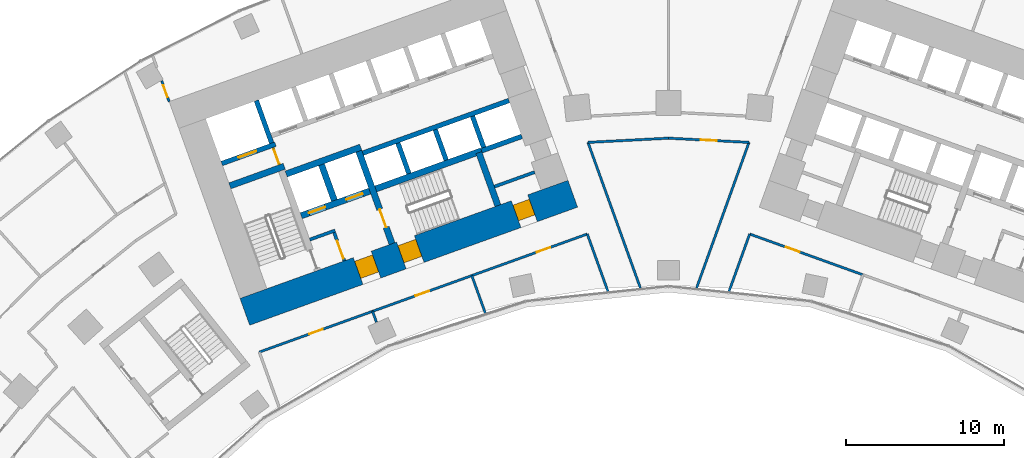
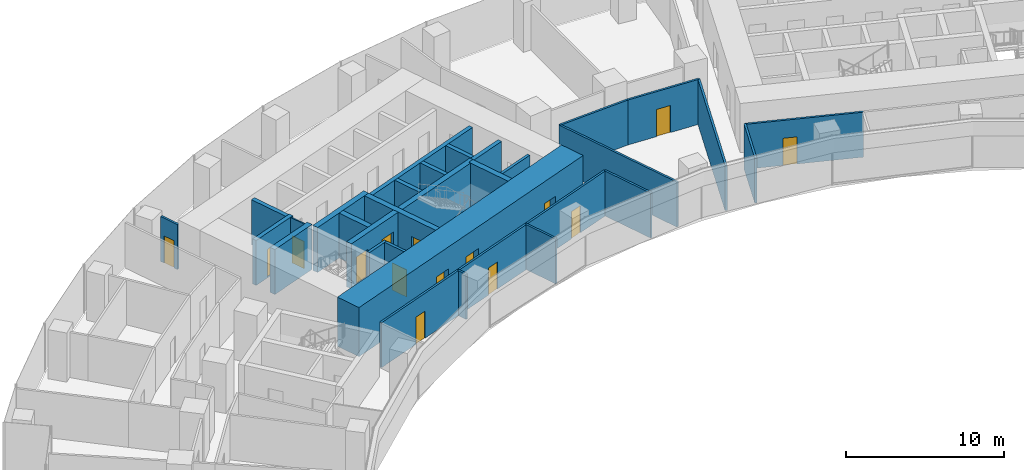
# One storey, part 15 of 21: 31 walls, 15 doors, 15 openings.
"""IFC4 building model written with IfcOpenShell, lengths in metres."""

from ifc_helpers import new_model, si_unit, direction, frame, frame_2d, origin, place, context, subcontext, project, spatial, rectangle, extrude, material, layer, layer_set, type_object, element, fill, save


model = new_model("IFC4")

# Units and contexts
model_context = context("Model", 3, precision=1e-05, world=origin(), true_north=direction((0.0, 1.0)))
body_context = subcontext(model_context, "Body", "Model", "MODEL_VIEW")
ifc_project = project(units=[si_unit("LENGTHUNIT", "METRE"), si_unit("AREAUNIT", "SQUARE_METRE"), si_unit("VOLUMEUNIT", "CUBIC_METRE"), si_unit("PLANEANGLEUNIT", "RADIAN"), si_unit("MASSUNIT", "GRAM", prefix="KILO")], contexts=[model_context])

# Site, building, storey
site_placement = place(None, origin())
site = spatial("IfcSite", under=ifc_project, at=site_placement, CompositionType="ELEMENT")
building_placement = place(site_placement, origin())
building = spatial("IfcBuilding", under=site, at=building_placement, Name="Stone Belt Terrace Tower", CompositionType="ELEMENT")
storey_placement = place(building_placement, frame((0.0, 0.0, 45.199951171875)))
storey = spatial("IfcBuildingStorey", under=building, at=storey_placement, Name="L10", CompositionType="ELEMENT", Elevation=45.199951171875)

# Wall, opening, door
ifc_material_1 = material(Name="Plasterboard partition")
ifc_layer_1 = layer(ifc_material_1, 0.10009765625)
ifc_layer_set_1 = layer_set([ifc_layer_1], Name="Core partition 100")
wall_type_1 = type_object("IfcWallType", Name="Core partition 100", PredefinedType="PARTITIONING", material=ifc_layer_set_1)
wall_1_placement = place(storey_placement, frame((-24.555908203125, 51.10400390625, 0.0), z_axis=(0.0, 0.0, 1.0), x_axis=(-0.338621735342, 0.94092258999, 0.0)))
wall_1 = element("IfcWall", 1, at=wall_1_placement, inside=storey, type_object=wall_type_1, Name="Core A wall", PredefinedType="PARTITIONING", context=body_context, shape_type="SweptSolid", body=[
    extrude(rectangle(XDim=1.14990234375, YDim=0.10009765625, at=frame_2d((0.574951171875, 0.0))), origin(), (0.0, 0.0, 1.0), 3.47998046875),
])
opening_1_placement = place(wall_1_placement, frame((0.050048828125, 0.0, 0.0)))
opening_1 = element("IfcOpeningElement", 2, at=opening_1_placement, cuts=wall_1, Name="Opening L10-C01", PredefinedType="OPENING", context=body_context, shape_type="SweptSolid", body=[
    extrude(rectangle(XDim=1.0, YDim=2.10009765625, at=frame_2d((0.5, 1.050048828125))), frame((0.0, 0.06005859375, 0.0), z_axis=(0.0, -1.0, 0.0), x_axis=(1.0, 0.0, 0.0)), (0.0, 0.0, 1.0), 0.1201171875),
])
ifc_material_2 = material(Name="Timber door leaf", Category="wood")
door_type_1 = type_object("IfcDoorType", Name="Core room door 1000", OperationType="SINGLE_SWING_LEFT", PredefinedType="DOOR", material=ifc_material_2)
door_1_placement = place(opening_1_placement, origin())
door_1 = element("IfcDoor", 3, at=door_1_placement, inside=storey, type_object=door_type_1, Name="Service lift lobby door core A", OperationType="SINGLE_SWING_RIGHT", OverallHeight=2.10009765625, OverallWidth=1.0, PredefinedType="DOOR", context=body_context, shape_type="SweptSolid", body=[
    extrude(rectangle(XDim=1.0, YDim=2.10009765625, at=frame_2d((0.5, 1.050048828125))), frame((0.0, 0.02490234375, 0.0), z_axis=(0.0, -1.0, 0.0), x_axis=(1.0, 0.0, 0.0)), (0.0, 0.0, 1.0), 0.050048828125),
])
fill(opening_1, door_1)

# Wall, openings, doors
ifc_material_3 = material(Name="Concrete B80", Category="concrete")
ifc_layer_2 = layer(ifc_material_3, 1.800048828125)
ifc_layer_set_2 = layer_set([ifc_layer_2], Name="Core wall 1800 B80")
wall_type_2 = type_object("IfcWallType", Name="Core wall 1800 B80", PredefinedType="SHEAR", material=ifc_layer_set_2)
wall_2_placement = place(storey_placement, frame((-26.739501953125, 41.815673828125, 0.0), z_axis=(0.0, 0.0, 1.0), x_axis=(0.940921642213, 0.338624368902, 0.0)))
wall_2 = element("IfcWall", 4, at=wall_2_placement, inside=storey, type_object=wall_type_2, Name="Core A wall concave L10", PredefinedType="SHEAR", context=body_context, shape_type="SweptSolid", body=[
    extrude(rectangle(XDim=22.0, YDim=1.800048828125, at=frame_2d((11.0, 0.0))), origin(), (0.0, 0.0, 1.0), 3.800048828125),
])
opening_2_placement = place(wall_2_placement, frame((7.60009765625, 0.0, 0.0)))
opening_2 = element("IfcOpeningElement", 5, at=opening_2_placement, cuts=wall_2, Name="Opening L10-C05", PredefinedType="OPENING", context=body_context, shape_type="SweptSolid", body=[
    extrude(rectangle(XDim=1.199951171875, YDim=2.10009765625, at=frame_2d((0.60009765625, 1.050048828125))), frame((0.0, 0.909912109375, 0.0), z_axis=(0.0, -1.0, 0.0), x_axis=(1.0, 0.0, 0.0)), (0.0, 0.0, 1.0), 1.820068359375),
])
opening_3_placement = place(wall_2_placement, frame((10.5, 0.0, 0.0)))
opening_3 = element("IfcOpeningElement", 6, at=opening_3_placement, cuts=wall_2, Name="Opening L10-C07", PredefinedType="OPENING", context=body_context, shape_type="SweptSolid", body=[
    extrude(rectangle(XDim=1.199951171875, YDim=2.10009765625, at=frame_2d((0.60009765625, 1.050048828125))), frame((0.0, 0.909912109375, 0.0), z_axis=(0.0, -1.0, 0.0), x_axis=(1.0, 0.0, 0.0)), (0.0, 0.0, 1.0), 1.820068359375),
])
opening_4_placement = place(wall_2_placement, frame((18.199951171875, 0.0, 0.0)))
opening_4 = element("IfcOpeningElement", 7, at=opening_4_placement, cuts=wall_2, Name="Opening L10-C09", PredefinedType="OPENING", context=body_context, shape_type="SweptSolid", body=[
    extrude(rectangle(XDim=1.10009765625, YDim=2.10009765625, at=frame_2d((0.550048828125, 1.050048828125))), frame((0.0, 0.909912109375, 0.0), z_axis=(0.0, -1.0, 0.0), x_axis=(1.0, 0.0, 0.0)), (0.0, 0.0, 1.0), 1.820068359375),
])
door_type_2 = type_object("IfcDoorType", Name="Core room door 1100", OperationType="SINGLE_SWING_LEFT", PredefinedType="DOOR", material=ifc_material_2)
door_2_placement = place(opening_4_placement, origin())
door_2 = element("IfcDoor", 8, at=door_2_placement, inside=storey, type_object=door_type_2, Name="Door to Pipe riser core A", OperationType="SINGLE_SWING_RIGHT", OverallHeight=2.10009765625, OverallWidth=1.10009765625, PredefinedType="DOOR", context=body_context, shape_type="SweptSolid", body=[
    extrude(rectangle(XDim=1.10009765625, YDim=2.10009765625, at=frame_2d((0.550048828125, 1.050048828125))), frame((0.0, 0.60498046875, 0.0), z_axis=(0.0, -1.0, 0.0), x_axis=(1.0, 0.0, 0.0)), (0.0, 0.0, 1.0), 1.050048828125),
])
fill(opening_4, door_2)
ifc_material_4 = material(Name="Steel door leaf", Category="steel")
door_type_3 = type_object("IfcDoorType", Name="Fire-fighting lobby door 1200", OperationType="SINGLE_SWING_LEFT", PredefinedType="DOOR", material=ifc_material_4)
door_3_placement = place(opening_2_placement, origin())
door_3 = element("IfcDoor", 9, at=door_3_placement, inside=storey, type_object=door_type_3, Name="Fire-fighting lobby door core A", OperationType="SINGLE_SWING_RIGHT", OverallHeight=2.10009765625, OverallWidth=1.199951171875, PredefinedType="DOOR", context=body_context, shape_type="SweptSolid", body=[
    extrude(rectangle(XDim=1.199951171875, YDim=2.10009765625, at=frame_2d((0.60009765625, 1.050048828125))), frame((0.0, 0.655029296875, 0.0), z_axis=(0.0, -1.0, 0.0), x_axis=(1.0, 0.0, 0.0)), (0.0, 0.0, 1.0), 1.14990234375),
])
fill(opening_2, door_3)
door_type_4 = type_object("IfcDoorType", Name="Stair door 1200", OperationType="SINGLE_SWING_LEFT", PredefinedType="DOOR", material=ifc_material_4)
door_4_placement = place(opening_3_placement, origin())
door_4 = element("IfcDoor", 10, at=door_4_placement, inside=storey, type_object=door_type_4, Name="Stair 2 exit door core A", OperationType="SINGLE_SWING_LEFT", OverallHeight=2.10009765625, OverallWidth=1.199951171875, PredefinedType="DOOR", context=body_context, shape_type="SweptSolid", body=[
    extrude(rectangle(XDim=1.199951171875, YDim=2.10009765625, at=frame_2d((0.60009765625, 1.050048828125))), frame((0.0, 0.655029296875, 0.0), z_axis=(0.0, -1.0, 0.0), x_axis=(1.0, 0.0, 0.0)), (0.0, 0.0, 1.0), 1.14990234375),
])
fill(opening_3, door_4)

# Walls
ifc_layer_3 = layer(ifc_material_3, 0.39990234375)
ifc_layer_set_3 = layer_set([ifc_layer_3], Name="Fire-fighting lift shaft wall 400")
wall_type_3 = type_object("IfcWallType", Name="Fire-fighting lift shaft wall 400", PredefinedType="SHEAR", material=ifc_layer_set_3)
wall_3_placement = place(storey_placement, frame((-24.130615234375, 50.512939453125, 0.0), z_axis=(0.0, 0.0, 1.0), x_axis=(0.94091168377, 0.338652038744, 0.0)))
element("IfcWall", 11, at=wall_3_placement, inside=storey, type_object=wall_type_3, Name="Core A wall", PredefinedType="SHEAR", context=body_context, shape_type="SweptSolid", body=[
    extrude(rectangle(XDim=5.000244140625, YDim=0.39990234375, at=frame_2d((2.5, 0.0))), origin(), (0.0, 0.0, 1.0), 3.47998046875),
])
wall_4_placement = place(storey_placement, frame((-21.0859375, 48.845458984375, 0.0), z_axis=(0.0, 0.0, 1.0), x_axis=(-0.338629416206, 0.940919825745, 0.0)))
element("IfcWall", 12, at=wall_4_placement, inside=storey, type_object=wall_type_3, Name="Core A wall", PredefinedType="SHEAR", context=body_context, shape_type="SweptSolid", body=[
    extrude(rectangle(XDim=2.400146484375, YDim=0.39990234375, at=frame_2d((1.2001953125, 0.0))), origin(), (0.0, 0.0, 1.0), 3.47998046875),
])

# Wall, opening, door
ifc_layer_4 = layer(ifc_material_3, 0.300048828125)
ifc_layer_set_4 = layer_set([ifc_layer_4], Name="Lift shaft wall 300")
wall_type_4 = type_object("IfcWallType", Name="Lift shaft wall 300", PredefinedType="SHEAR", material=ifc_layer_set_4)
wall_5_placement = place(storey_placement, frame((-28.195068359375, 51.17578125, 0.0), z_axis=(0.0, 0.0, 1.0), x_axis=(0.940901243567, 0.338681044427, 0.0)))
wall_5 = element("IfcWall", 13, at=wall_5_placement, inside=storey, type_object=wall_type_4, Name="Core A wall", PredefinedType="SHEAR", context=body_context, shape_type="SweptSolid", body=[
    extrude(rectangle(XDim=3.599853515625, YDim=0.300048828125, at=frame_2d((1.7998046875, 0.0))), origin(), (0.0, 0.0, 1.0), 3.47998046875),
])
opening_5_placement = place(wall_5_placement, frame((1.1201171875, 0.0, 0.0)))
opening_5 = element("IfcOpeningElement", 14, at=opening_5_placement, cuts=wall_5, Name="Opening L10-LD09", PredefinedType="OPENING", context=body_context, shape_type="SweptSolid", body=[
    extrude(rectangle(XDim=1.199951171875, YDim=2.199951171875, at=frame_2d((0.60009765625, 1.10009765625))), frame((0.0, 0.159912109375, 0.0), z_axis=(0.0, -1.0, 0.0), x_axis=(1.0, 0.0, 0.0)), (0.0, 0.0, 1.0), 0.320068359375),
])
ifc_material_5 = material(Name="Stainless steel door leaf", Category="steel")
door_type_5 = type_object("IfcDoorType", Name="Landing door 1200", OperationType="SLIDING_TO_LEFT", PredefinedType="DOOR", material=ifc_material_5)
door_5_placement = place(opening_5_placement, origin())
door_5 = element("IfcDoor", 15, at=door_5_placement, inside=storey, type_object=door_type_5, Name="Landing door SV1 core A", OperationType="SLIDING_TO_LEFT", OverallHeight=2.199951171875, OverallWidth=1.199951171875, PredefinedType="DOOR", context=body_context, shape_type="SweptSolid", body=[
    extrude(rectangle(XDim=1.199951171875, YDim=2.199951171875, at=frame_2d((0.60009765625, 1.10009765625))), frame((0.0, 0.02490234375, 0.0), z_axis=(0.0, -1.0, 0.0), x_axis=(1.0, 0.0, 0.0)), (0.0, 0.0, 1.0), 0.050048828125),
])
fill(opening_5, door_5)

# Walls
wall_6_placement = place(storey_placement, frame((-25.046875, 52.46826171875, 0.0), z_axis=(0.0, 0.0, 1.0), x_axis=(-0.338549588058, 0.940948551423, 0.0)))
element("IfcWall", 16, at=wall_6_placement, inside=storey, type_object=wall_type_4, Name="Core A wall", PredefinedType="SHEAR", context=body_context, shape_type="SweptSolid", body=[
    extrude(rectangle(XDim=2.849853515625, YDim=0.300048828125, at=frame_2d((1.4248046875, 0.0))), origin(), (0.0, 0.0, 1.0), 3.47998046875),
])
wall_7_placement = place(storey_placement, frame((-19.29052734375, 51.829833984375, 0.0), z_axis=(0.0, 0.0, 1.0), x_axis=(0.940925833398, 0.338612722803, 0.0)))
element("IfcWall", 17, at=wall_7_placement, inside=storey, type_object=wall_type_4, Name="Core A wall", PredefinedType="SHEAR", context=body_context, shape_type="SweptSolid", body=[
    extrude(rectangle(XDim=9.7998046875, YDim=0.300048828125, at=frame_2d((4.89990234375, 0.0))), origin(), (0.0, 0.0, 1.0), 3.47998046875),
])
for number, where, z_axis, x_axis, name in (
    (18, (-16.38134765625, 50.53857421875, 0.0), (0.0, 0.0, 1.0), (-0.338681515556, 0.940901073982, 0.0), "Core A wall"),
    (19, (-14.029052734375, 51.38525390625, 0.0), (0.0, 0.0, 1.0), (-0.338681515556, 0.940901073982, 0.0), "Core A wall"),
):
    element("IfcWall", number, at=place(storey_placement, frame(where, z_axis=z_axis, x_axis=x_axis)), inside=storey, type_object=wall_type_4, Name=name, PredefinedType="SHEAR", context=body_context, shape_type="SweptSolid", body=[
        extrude(rectangle(XDim=2.050048828125, YDim=0.300048828125, at=frame_2d((1.02490234375, 0.0))), origin(), (0.0, 0.0, 1.0), 3.47998046875),
    ])
wall_8_placement = place(storey_placement, frame((-11.797119140625, 51.975830078125, 0.0), z_axis=(0.0, 0.0, 1.0), x_axis=(0.940910465161, 0.33865542451, 0.0)))
element("IfcWall", 20, at=wall_8_placement, inside=storey, type_object=wall_type_4, Name="Core A wall", PredefinedType="SHEAR", context=body_context, shape_type="SweptSolid", body=[
    extrude(rectangle(XDim=2.69970703125, YDim=0.300048828125, at=frame_2d((1.349853515625, 0.0))), origin(), (0.0, 0.0, 1.0), 3.47998046875),
])
wall_9_placement = place(storey_placement, frame((-11.659912109375, 52.184814453125, 0.0), z_axis=(0.0, 0.0, 1.0), x_axis=(-0.338670064856, 0.940905195634, 0.0)))
element("IfcWall", 21, at=wall_9_placement, inside=storey, type_object=wall_type_4, Name="Core A wall", PredefinedType="SHEAR", context=body_context, shape_type="SweptSolid", body=[
    extrude(rectangle(XDim=2.099853515625, YDim=0.300048828125, at=frame_2d((1.0498046875, 0.0))), origin(), (0.0, 0.0, 1.0), 3.47998046875),
])

# Wall, opening, door
ifc_material_6 = material(Name="Gypsum board partition")
ifc_layer_5 = layer(ifc_material_6, 0.14990234375)
ifc_layer_set_5 = layer_set([ifc_layer_5], Name="PARTITION 150 EI 60")
wall_type_5 = type_object("IfcWallType", Name="PARTITION 150 EI 60", PredefinedType="PARTITIONING", material=ifc_layer_set_5)
wall_10_placement = place(storey_placement, frame((-31.98681640625, 56.39599609375, 0.0), z_axis=(0.0, 0.0, 1.0), x_axis=(0.338861945182, -0.940836107995, 0.0)))
wall_10 = element("IfcWall", 22, at=wall_10_placement, inside=storey, type_object=wall_type_5, Name="L10/wall/i003", PredefinedType="PARTITIONING", context=body_context, shape_type="SweptSolid", body=[
    extrude(rectangle(XDim=1.3955078125, YDim=0.14990234375, at=frame_2d((0.69775390625, 0.0))), origin(), (0.0, 0.0, 1.0), 3.47998046875),
])
opening_6_placement = place(wall_10_placement, frame((0.2978515625, 0.0, 0.0)))
opening_6 = element("IfcOpeningElement", 23, at=opening_6_placement, cuts=wall_10, Name="Opening D-A3-04", PredefinedType="OPENING", context=body_context, shape_type="SweptSolid", body=[
    extrude(rectangle(XDim=0.800048828125, YDim=2.10009765625, at=frame_2d((0.39990234375, 1.050048828125))), frame((0.0, 0.0849609375, 0.0), z_axis=(0.0, -1.0, 0.0), x_axis=(1.0, 0.0, 0.0)), (0.0, 0.0, 1.0), 0.169921875),
])
door_type_6 = type_object("IfcDoorType", Name="STORE DOOR 800 X 2100", OperationType="NOTDEFINED", PredefinedType="DOOR", material=ifc_material_2)
door_6_placement = place(opening_6_placement, origin())
door_6 = element("IfcDoor", 24, at=door_6_placement, inside=storey, type_object=door_type_6, Name="L10/door/i04", OperationType="SINGLE_SWING_RIGHT", OverallHeight=2.10009765625, OverallWidth=0.800048828125, PredefinedType="DOOR", context=body_context, shape_type="SweptSolid", body=[
    extrude(rectangle(XDim=0.800048828125, YDim=2.10009765625, at=frame_2d((0.39990234375, 1.050048828125))), frame((0.0, 0.02490234375, 0.0), z_axis=(0.0, -1.0, 0.0), x_axis=(1.0, 0.0, 0.0)), (0.0, 0.0, 1.0), 0.050048828125),
])
fill(opening_6, door_6)

# Walls
wall_11_placement = place(storey_placement, frame((-3.8193359375, 43.0986328125, 0.0), z_axis=(0.0, 0.0, 1.0), x_axis=(-0.338714989495, 0.940889024217, 0.0)))
element("IfcWall", 25, at=wall_11_placement, inside=storey, type_object=wall_type_5, Name="L10/wall/i006", PredefinedType="PARTITIONING", context=body_context, shape_type="SweptSolid", body=[
    extrude(rectangle(XDim=3.860595703125, YDim=0.14990234375, at=frame_2d((1.93017578125, 0.0))), origin(), (0.0, 0.0, 1.0), 3.47998046875),
])
wall_12_placement = place(storey_placement, frame((-5.0830078125, 52.514892578125, 0.0), z_axis=(0.0, 0.0, 1.0), x_axis=(0.338660235858, -0.940908733432, 0.0)))
element("IfcWall", 26, at=wall_12_placement, inside=storey, type_object=wall_type_5, Name="L10/wall/i008", PredefinedType="PARTITIONING", context=body_context, shape_type="SweptSolid", body=[
    extrude(rectangle(XDim=9.779052734375, YDim=0.14990234375, at=frame_2d((4.8896484375, 0.0))), origin(), (0.0, 0.0, 1.0), 3.47998046875),
])

# Wall, opening, door
wall_13_placement = place(storey_placement, frame((-18.6708984375, 41.85009765625, 0.0), z_axis=(0.0, 0.0, 1.0), x_axis=(-0.940898463148, -0.338688768702, 0.0)))
wall_13 = element("IfcWall", 27, at=wall_13_placement, inside=storey, type_object=wall_type_5, Name="L10/wall/i011", PredefinedType="PARTITIONING", context=body_context, shape_type="SweptSolid", body=[
    extrude(rectangle(XDim=7.603515625, YDim=0.14990234375, at=frame_2d((3.8017578125, 0.0))), origin(), (0.0, 0.0, 1.0), 3.47998046875),
])
opening_7_placement = place(wall_13_placement, frame((3.3515625, 0.0, 0.0)))
opening_7 = element("IfcOpeningElement", 28, at=opening_7_placement, cuts=wall_13, Name="Opening D-A3-01", PredefinedType="OPENING", context=body_context, shape_type="SweptSolid", body=[
    extrude(rectangle(XDim=0.89990234375, YDim=2.10009765625, at=frame_2d((0.449951171875, 1.050048828125))), frame((0.0, 0.0849609375, 0.0), z_axis=(0.0, -1.0, 0.0), x_axis=(1.0, 0.0, 0.0)), (0.0, 0.0, 1.0), 0.169921875),
])
door_type_7 = type_object("IfcDoorType", Name="OFFICE DOOR 900 X 2100", OperationType="NOTDEFINED", PredefinedType="DOOR", material=ifc_material_2)
door_7_placement = place(opening_7_placement, origin())
door_7 = element("IfcDoor", 29, at=door_7_placement, inside=storey, type_object=door_type_7, Name="L10/door/i01", OperationType="SINGLE_SWING_RIGHT", OverallHeight=2.10009765625, OverallWidth=0.89990234375, PredefinedType="DOOR", context=body_context, shape_type="SweptSolid", body=[
    extrude(rectangle(XDim=0.89990234375, YDim=2.10009765625, at=frame_2d((0.449951171875, 1.050048828125))), frame((0.0, 0.02490234375, 0.0), z_axis=(0.0, -1.0, 0.0), x_axis=(1.0, 0.0, 0.0)), (0.0, 0.0, 1.0), 0.050048828125),
])
fill(opening_7, door_7)

wall_14_placement = place(storey_placement, frame((-12.406982421875, 44.10400390625, 0.0), z_axis=(0.0, 0.0, 1.0), x_axis=(-0.940951787008, -0.338540595092, 0.0)))
wall_14 = element("IfcWall", 30, at=wall_14_placement, inside=storey, type_object=wall_type_5, Name="L10/wall/i012", PredefinedType="PARTITIONING", context=body_context, shape_type="SweptSolid", body=[
    extrude(rectangle(XDim=6.669921875, YDim=0.14990234375, at=frame_2d((3.3349609375, 0.0))), origin(), (0.0, 0.0, 1.0), 3.47998046875),
])
opening_8_placement = place(wall_14_placement, frame((2.885009765625, 0.0, 0.0)))
opening_8 = element("IfcOpeningElement", 31, at=opening_8_placement, cuts=wall_14, Name="Opening D-A3-02", PredefinedType="OPENING", context=body_context, shape_type="SweptSolid", body=[
    extrude(rectangle(XDim=0.89990234375, YDim=2.10009765625, at=frame_2d((0.449951171875, 1.050048828125))), frame((0.0, 0.0849609375, 0.0), z_axis=(0.0, -1.0, 0.0), x_axis=(1.0, 0.0, 0.0)), (0.0, 0.0, 1.0), 0.169921875),
])
door_8_placement = place(opening_8_placement, origin())
door_8 = element("IfcDoor", 32, at=door_8_placement, inside=storey, type_object=door_type_7, Name="L10/door/i02", OperationType="SINGLE_SWING_RIGHT", OverallHeight=2.10009765625, OverallWidth=0.89990234375, PredefinedType="DOOR", context=body_context, shape_type="SweptSolid", body=[
    extrude(rectangle(XDim=0.89990234375, YDim=2.10009765625, at=frame_2d((0.449951171875, 1.050048828125))), frame((0.0, 0.02490234375, 0.0), z_axis=(0.0, -1.0, 0.0), x_axis=(1.0, 0.0, 0.0)), (0.0, 0.0, 1.0), 0.050048828125),
])
fill(opening_8, door_8)

wall_15_placement = place(storey_placement, frame((-5.125, 46.72509765625, 0.0), z_axis=(0.0, 0.0, 1.0), x_axis=(-0.940921131887, -0.338625786921, 0.0)))
wall_15 = element("IfcWall", 33, at=wall_15_placement, inside=storey, type_object=wall_type_5, Name="L10/wall/i013", PredefinedType="PARTITIONING", context=body_context, shape_type="SweptSolid", body=[
    extrude(rectangle(XDim=7.751953125, YDim=0.14990234375, at=frame_2d((3.8759765625, 0.0))), origin(), (0.0, 0.0, 1.0), 3.47998046875),
])
opening_9_placement = place(wall_15_placement, frame((2.48828125, 0.0, 0.0)))
opening_9 = element("IfcOpeningElement", 34, at=opening_9_placement, cuts=wall_15, Name="Opening D-A3-03", PredefinedType="OPENING", context=body_context, shape_type="SweptSolid", body=[
    extrude(rectangle(XDim=0.89990234375, YDim=2.10009765625, at=frame_2d((0.449951171875, 1.050048828125))), frame((0.0, 0.0849609375, 0.0), z_axis=(0.0, -1.0, 0.0), x_axis=(1.0, 0.0, 0.0)), (0.0, 0.0, 1.0), 0.169921875),
])
door_9_placement = place(opening_9_placement, origin())
door_9 = element("IfcDoor", 35, at=door_9_placement, inside=storey, type_object=door_type_7, Name="L10/door/i03", OperationType="SINGLE_SWING_LEFT", OverallHeight=2.10009765625, OverallWidth=0.89990234375, PredefinedType="DOOR", context=body_context, shape_type="SweptSolid", body=[
    extrude(rectangle(XDim=0.89990234375, YDim=2.10009765625, at=frame_2d((0.449951171875, 1.050048828125))), frame((0.0, 0.02490234375, 0.0), z_axis=(0.0, -1.0, 0.0), x_axis=(1.0, 0.0, 0.0)), (0.0, 0.0, 1.0), 0.050048828125),
])
fill(opening_9, door_9)

# Walls
wall_16_placement = place(storey_placement, frame((-18.677001953125, 41.847900390625, 0.0), z_axis=(0.0, 0.0, 1.0), x_axis=(0.338755063211, -0.94087459693, 0.0)))
element("IfcWall", 36, at=wall_16_placement, inside=storey, type_object=wall_type_5, Name="L10/wall/i014", PredefinedType="PARTITIONING", context=body_context, shape_type="SweptSolid", body=[
    extrude(rectangle(XDim=0.728515625, YDim=0.14990234375, at=frame_2d((0.3642578125, 0.0))), origin(), (0.0, 0.0, 1.0), 3.47998046875),
])
wall_17_placement = place(storey_placement, frame((-12.4130859375, 44.10205078125, 0.0), z_axis=(0.0, 0.0, 1.0), x_axis=(0.338643961711, -0.940914590809, 0.0)))
element("IfcWall", 37, at=wall_17_placement, inside=storey, type_object=wall_type_5, Name="L10/wall/i015", PredefinedType="PARTITIONING", context=body_context, shape_type="SweptSolid", body=[
    extrude(rectangle(XDim=2.51904296875, YDim=0.14990234375, at=frame_2d((1.259521484375, 0.0))), origin(), (0.0, 0.0, 1.0), 3.47998046875),
])
wall_18_placement = place(storey_placement, frame((5.126953125, 46.73095703125, 0.0), z_axis=(0.0, 0.0, 1.0), x_axis=(-0.338714989495, -0.940889024217, 0.0)))
element("IfcWall", 38, at=wall_18_placement, inside=storey, type_object=wall_type_5, Name="L10/wall/i017", PredefinedType="PARTITIONING", context=body_context, shape_type="SweptSolid", body=[
    extrude(rectangle(XDim=3.860595703125, YDim=0.14990234375, at=frame_2d((1.93017578125, 0.0))), origin(), (0.0, 0.0, 1.0), 3.47998046875),
])
wall_19_placement = place(storey_placement, frame((1.771240234375, 43.313720703125, 0.0), z_axis=(0.0, 0.0, 1.0), x_axis=(0.338660235858, 0.940908733432, 0.0)))
element("IfcWall", 39, at=wall_19_placement, inside=storey, type_object=wall_type_5, Name="L10/wall/i019", PredefinedType="PARTITIONING", context=body_context, shape_type="SweptSolid", body=[
    extrude(rectangle(XDim=9.779052734375, YDim=0.14990234375, at=frame_2d((4.8896484375, 0.0))), origin(), (0.0, 0.0, 1.0), 3.47998046875),
])

# Wall, opening, door
wall_20_placement = place(storey_placement, frame((12.279052734375, 44.14990234375, 0.0), z_axis=(0.0, 0.0, 1.0), x_axis=(-0.940898463148, 0.338688768702, 0.0)))
wall_20 = element("IfcWall", 40, at=wall_20_placement, inside=storey, type_object=wall_type_5, Name="L10/wall/i028", PredefinedType="PARTITIONING", context=body_context, shape_type="SweptSolid", body=[
    extrude(rectangle(XDim=7.603515625, YDim=0.14990234375, at=frame_2d((3.8017578125, 0.0))), origin(), (0.0, 0.0, 1.0), 3.47998046875),
])
opening_10_placement = place(wall_20_placement, frame((4.26708984375, 0.0, 0.0)))
opening_10 = element("IfcOpeningElement", 41, at=opening_10_placement, cuts=wall_20, Name="Opening D-A3-06", PredefinedType="OPENING", context=body_context, shape_type="SweptSolid", body=[
    extrude(rectangle(XDim=0.89990234375, YDim=2.10009765625, at=frame_2d((0.449951171875, 1.050048828125))), frame((0.0, 0.0849609375, 0.0), z_axis=(0.0, -1.0, 0.0), x_axis=(1.0, 0.0, 0.0)), (0.0, 0.0, 1.0), 0.169921875),
])
door_10_placement = place(opening_10_placement, origin())
door_10 = element("IfcDoor", 42, at=door_10_placement, inside=storey, type_object=door_type_7, Name="L10/door/i06", OperationType="SINGLE_SWING_RIGHT", OverallHeight=2.10009765625, OverallWidth=0.89990234375, PredefinedType="DOOR", context=body_context, shape_type="SweptSolid", body=[
    extrude(rectangle(XDim=0.89990234375, YDim=2.10009765625, at=frame_2d((0.449951171875, 1.050048828125))), frame((0.0, 0.02490234375, 0.0), z_axis=(0.0, -1.0, 0.0), x_axis=(1.0, 0.0, 0.0)), (0.0, 0.0, 1.0), 0.050048828125),
])
fill(opening_10, door_10)

wall_21_placement = place(storey_placement, frame((5.0810546875, 52.509033203125, 0.0), z_axis=(0.0, 0.0, 1.0), x_axis=(-0.99863382154, 0.052254095313, 0.0)))
wall_21 = element("IfcWall", 43, at=wall_21_placement, inside=storey, type_object=wall_type_5, Name="L10/wall/i082", PredefinedType="PARTITIONING", context=body_context, shape_type="SweptSolid", body=[
    extrude(rectangle(XDim=5.087890625, YDim=0.14990234375, at=frame_2d((2.5439453125, 0.0))), origin(), (0.0, 0.0, 1.0), 3.47998046875),
])
opening_11_placement = place(wall_21_placement, frame((2.0439453125, 0.0, 0.0)))
opening_11 = element("IfcOpeningElement", 44, at=opening_11_placement, cuts=wall_21, Name="Opening D-A3-27", PredefinedType="OPENING", context=body_context, shape_type="SweptSolid", body=[
    extrude(rectangle(XDim=1.0, YDim=2.10009765625, at=frame_2d((0.5, 1.050048828125))), frame((0.0, 0.0849609375, 0.0), z_axis=(0.0, -1.0, 0.0), x_axis=(1.0, 0.0, 0.0)), (0.0, 0.0, 1.0), 0.169921875),
])
ifc_material_7 = material(Name="Timber fire door leaf", Category="wood")
door_type_8 = type_object("IfcDoorType", Name="TENANCY ENTRANCE DOOR 1000 X 2100", OperationType="NOTDEFINED", PredefinedType="DOOR", material=ifc_material_7)
door_11_placement = place(opening_11_placement, origin())
door_11 = element("IfcDoor", 45, at=door_11_placement, inside=storey, type_object=door_type_8, Name="L10/door/i27", OperationType="SINGLE_SWING_RIGHT", OverallHeight=2.10009765625, OverallWidth=1.0, PredefinedType="DOOR", context=body_context, shape_type="SweptSolid", body=[
    extrude(rectangle(XDim=1.0, YDim=2.10009765625, at=frame_2d((0.5, 1.050048828125))), frame((0.0, 0.02490234375, 0.0), z_axis=(0.0, -1.0, 0.0), x_axis=(1.0, 0.0, 0.0)), (0.0, 0.0, 1.0), 0.050048828125),
])
fill(opening_11, door_11)

# Walls
wall_22_placement = place(storey_placement, frame((0.0, 52.77490234375, 0.0), z_axis=(0.0, 0.0, 1.0), x_axis=(-0.99863382154, -0.052254095313, 0.0)))
element("IfcWall", 46, at=wall_22_placement, inside=storey, type_object=wall_type_5, Name="L10/wall/i083", PredefinedType="PARTITIONING", context=body_context, shape_type="SweptSolid", body=[
    extrude(rectangle(XDim=5.087890625, YDim=0.14990234375, at=frame_2d((2.5439453125, 0.0))), origin(), (0.0, 0.0, 1.0), 3.47998046875),
])
ifc_material_8 = material(Name="Concrete masonry block", Category="masonry")
ifc_layer_6 = layer(ifc_material_8, 0.199951171875)
ifc_layer_set_6 = layer_set([ifc_layer_6], Name="Rated lobby wall 200")
wall_type_6 = type_object("IfcWallType", Name="Rated lobby wall 200", PredefinedType="PARTITIONING", material=ifc_layer_set_6)
wall_23_placement = place(storey_placement, frame((-22.640625, 46.373046875, 0.0), z_axis=(0.0, 0.0, 1.0), x_axis=(0.940966110313, 0.338500781747, 0.0)))
element("IfcWall", 47, at=wall_23_placement, inside=storey, type_object=wall_type_6, Name="Core A wall", PredefinedType="PARTITIONING", context=body_context, shape_type="SweptSolid", body=[
    extrude(rectangle(XDim=1.699951171875, YDim=0.199951171875, at=frame_2d((0.85009765625, 0.0))), origin(), (0.0, 0.0, 1.0), 3.47998046875),
])

# Wall, opening, door
wall_24_placement = place(storey_placement, frame((-20.4580078125, 45.032958984375, 0.0), z_axis=(0.0, 0.0, 1.0), x_axis=(-0.338573865316, 0.940939816208, 0.0)))
wall_24 = element("IfcWall", 48, at=wall_24_placement, inside=storey, type_object=wall_type_6, Name="Core A wall", PredefinedType="PARTITIONING", context=body_context, shape_type="SweptSolid", body=[
    extrude(rectangle(XDim=1.900146484375, YDim=0.199951171875, at=frame_2d((0.9501953125, 0.0))), origin(), (0.0, 0.0, 1.0), 3.47998046875),
])
opening_12_placement = place(wall_24_placement, frame((0.14990234375, 0.0, 0.0)))
opening_12 = element("IfcOpeningElement", 49, at=opening_12_placement, cuts=wall_24, Name="Opening L10-C04", PredefinedType="OPENING", context=body_context, shape_type="SweptSolid", body=[
    extrude(rectangle(XDim=1.199951171875, YDim=2.10009765625, at=frame_2d((0.60009765625, 1.050048828125))), frame((0.0, 0.10986328125, 0.0), z_axis=(0.0, -1.0, 0.0), x_axis=(1.0, 0.0, 0.0)), (0.0, 0.0, 1.0), 0.219970703125),
])
door_12_placement = place(opening_12_placement, origin())
door_12 = element("IfcDoor", 50, at=door_12_placement, inside=storey, type_object=door_type_4, Name="Stair airlock door core A", OperationType="SINGLE_SWING_RIGHT", OverallHeight=2.10009765625, OverallWidth=1.199951171875, PredefinedType="DOOR", context=body_context, shape_type="SweptSolid", body=[
    extrude(rectangle(XDim=1.199951171875, YDim=2.10009765625, at=frame_2d((0.60009765625, 1.050048828125))), frame((0.0, 0.02490234375, 0.0), z_axis=(0.0, -1.0, 0.0), x_axis=(1.0, 0.0, 0.0)), (0.0, 0.0, 1.0), 0.050048828125),
])
fill(opening_12, door_12)

# Walls
wall_25_placement = place(storey_placement, frame((-10.984619140625, 49.717529296875, 0.0), z_axis=(0.0, 0.0, 1.0), x_axis=(0.940920834877, 0.338626612206, 0.0)))
element("IfcWall", 51, at=wall_25_placement, inside=storey, type_object=wall_type_6, Name="Core A wall", PredefinedType="PARTITIONING", context=body_context, shape_type="SweptSolid", body=[
    extrude(rectangle(XDim=2.699951171875, YDim=0.199951171875, at=frame_2d((1.35009765625, 0.0))), origin(), (0.0, 0.0, 1.0), 3.47998046875),
])
ifc_layer_7 = layer(ifc_material_3, 0.39990234375)
ifc_layer_set_7 = layer_set([ifc_layer_7], Name="Stair enclosure wall 400")
wall_type_7 = type_object("IfcWallType", Name="Stair enclosure wall 400", PredefinedType="SHEAR", material=ifc_layer_set_7)
wall_26_placement = place(storey_placement, frame((-27.687255859375, 49.764404296875, 0.0), z_axis=(0.0, 0.0, 1.0), x_axis=(0.940918954884, 0.338631835981, 0.0)))
element("IfcWall", 52, at=wall_26_placement, inside=storey, type_object=wall_type_7, Name="Core A wall", PredefinedType="SHEAR", context=body_context, shape_type="SweptSolid", body=[
    extrude(rectangle(XDim=3.650146484375, YDim=0.39990234375, at=frame_2d((1.8251953125, 0.0))), origin(), (0.0, 0.0, 1.0), 3.47998046875),
])

# Wall, openings, doors
wall_27_placement = place(storey_placement, frame((-23.182373046875, 47.87841796875, 0.0), z_axis=(0.0, 0.0, 1.0), x_axis=(0.940921101762, 0.338625870628, 0.0)))
wall_27 = element("IfcWall", 53, at=wall_27_placement, inside=storey, type_object=wall_type_7, Name="Core A wall", PredefinedType="SHEAR", context=body_context, shape_type="SweptSolid", body=[
    extrude(rectangle(XDim=12.10009765625, YDim=0.39990234375, at=frame_2d((6.050048828125, 0.0))), origin(), (0.0, 0.0, 1.0), 3.47998046875),
])
opening_13_placement = place(wall_27_placement, frame((0.52001953125, 0.0, 0.0)))
opening_13 = element("IfcOpeningElement", 54, at=opening_13_placement, cuts=wall_27, Name="Opening L10-LD07", PredefinedType="OPENING", context=body_context, shape_type="SweptSolid", body=[
    extrude(rectangle(XDim=1.10009765625, YDim=2.199951171875, at=frame_2d((0.550048828125, 1.10009765625))), frame((0.0, 0.2099609375, 0.0), z_axis=(0.0, -1.0, 0.0), x_axis=(1.0, 0.0, 0.0)), (0.0, 0.0, 1.0), 0.419921875),
])
opening_14_placement = place(wall_27_placement, frame((3.02001953125, 0.0, 0.0)))
opening_14 = element("IfcOpeningElement", 55, at=opening_14_placement, cuts=wall_27, Name="Opening L10-LD08", PredefinedType="OPENING", context=body_context, shape_type="SweptSolid", body=[
    extrude(rectangle(XDim=1.10009765625, YDim=2.199951171875, at=frame_2d((0.550048828125, 1.10009765625))), frame((0.0, 0.2099609375, 0.0), z_axis=(0.0, -1.0, 0.0), x_axis=(1.0, 0.0, 0.0)), (0.0, 0.0, 1.0), 0.419921875),
])
door_type_9 = type_object("IfcDoorType", Name="Landing door 1100", OperationType="SLIDING_TO_LEFT", PredefinedType="DOOR", material=ifc_material_5)
door_13_placement = place(opening_13_placement, origin())
door_13 = element("IfcDoor", 56, at=door_13_placement, inside=storey, type_object=door_type_9, Name="Landing door FF1 core A", OperationType="SLIDING_TO_LEFT", OverallHeight=2.199951171875, OverallWidth=1.10009765625, PredefinedType="DOOR", context=body_context, shape_type="SweptSolid", body=[
    extrude(rectangle(XDim=1.10009765625, YDim=2.199951171875, at=frame_2d((0.550048828125, 1.10009765625))), frame((0.0, 0.02490234375, 0.0), z_axis=(0.0, -1.0, 0.0), x_axis=(1.0, 0.0, 0.0)), (0.0, 0.0, 1.0), 0.050048828125),
])
fill(opening_13, door_13)
door_14_placement = place(opening_14_placement, origin())
door_14 = element("IfcDoor", 57, at=door_14_placement, inside=storey, type_object=door_type_9, Name="Landing door FF2 core A", OperationType="SLIDING_TO_LEFT", OverallHeight=2.199951171875, OverallWidth=1.10009765625, PredefinedType="DOOR", context=body_context, shape_type="SweptSolid", body=[
    extrude(rectangle(XDim=1.10009765625, YDim=2.199951171875, at=frame_2d((0.550048828125, 1.10009765625))), frame((0.0, 0.02490234375, 0.0), z_axis=(0.0, -1.0, 0.0), x_axis=(1.0, 0.0, 0.0)), (0.0, 0.0, 1.0), 0.050048828125),
])
fill(opening_14, door_14)

# Wall, opening, door
wall_28_placement = place(storey_placement, frame((-17.447021484375, 46.116455078125, 0.0), z_axis=(0.0, 0.0, 1.0), x_axis=(-0.33860791464, 0.940927563707, 0.0)))
wall_28 = element("IfcWall", 58, at=wall_28_placement, inside=storey, type_object=wall_type_7, Name="Core A wall", PredefinedType="SHEAR", context=body_context, shape_type="SweptSolid", body=[
    extrude(rectangle(XDim=6.199951171875, YDim=0.39990234375, at=frame_2d((3.10009765625, 0.0))), origin(), (0.0, 0.0, 1.0), 3.47998046875),
])
opening_15_placement = place(wall_28_placement, frame((1.10009765625, 0.0, 0.0)))
opening_15 = element("IfcOpeningElement", 59, at=opening_15_placement, cuts=wall_28, Name="Opening L10-C06", PredefinedType="OPENING", context=body_context, shape_type="SweptSolid", body=[
    extrude(rectangle(XDim=1.199951171875, YDim=2.10009765625, at=frame_2d((0.60009765625, 1.050048828125))), frame((0.0, 0.2099609375, 0.0), z_axis=(0.0, -1.0, 0.0), x_axis=(1.0, 0.0, 0.0)), (0.0, 0.0, 1.0), 0.419921875),
])
door_15_placement = place(opening_15_placement, origin())
door_15 = element("IfcDoor", 60, at=door_15_placement, inside=storey, type_object=door_type_4, Name="Stair 2 door core A", OperationType="SINGLE_SWING_RIGHT", OverallHeight=2.10009765625, OverallWidth=1.199951171875, PredefinedType="DOOR", context=body_context, shape_type="SweptSolid", body=[
    extrude(rectangle(XDim=1.199951171875, YDim=2.10009765625, at=frame_2d((0.60009765625, 1.050048828125))), frame((0.0, 0.02490234375, 0.0), z_axis=(0.0, -1.0, 0.0), x_axis=(1.0, 0.0, 0.0)), (0.0, 0.0, 1.0), 0.050048828125),
])
fill(opening_15, door_15)

# Wall
wall_29_placement = place(storey_placement, frame((-10.766357421875, 48.520751953125, 0.0), z_axis=(0.0, 0.0, 1.0), x_axis=(-0.338626928157, 0.94092072117, 0.0)))
element("IfcWall", 61, at=wall_29_placement, inside=storey, type_object=wall_type_7, Name="Core A wall", PredefinedType="SHEAR", context=body_context, shape_type="SweptSolid", body=[
    extrude(rectangle(XDim=3.550048828125, YDim=0.39990234375, at=frame_2d((1.77490234375, 0.0))), origin(), (0.0, 0.0, 1.0), 3.47998046875),
])

save(model, "model.ifc")
